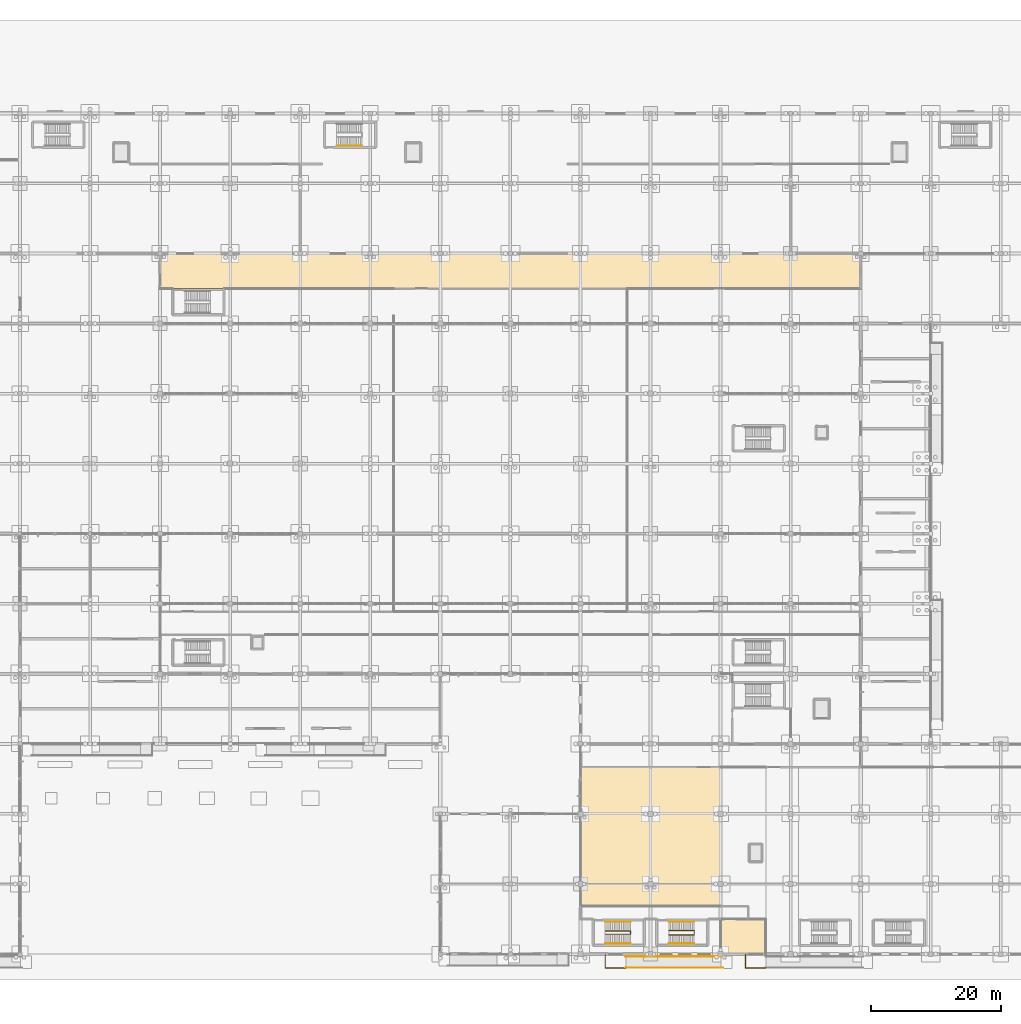
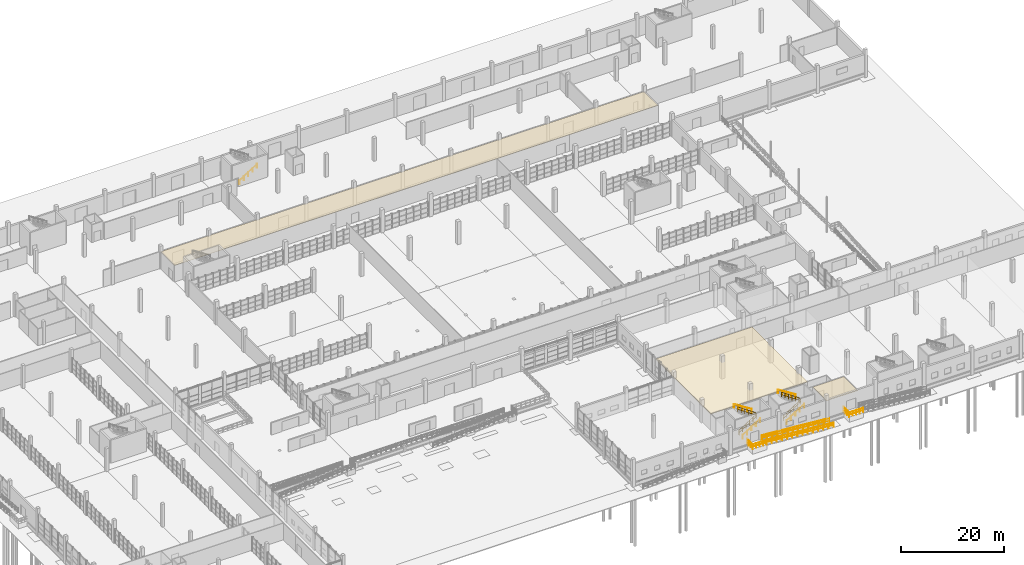
# One storey, part 133 of 138: 11 railings, 3 coverings.
"""IFC4 building model written with IfcOpenShell, lengths in metres."""

from ifc_helpers import new_model, si_unit, direction, frame, origin, origin_2d, place, context, subcontext, project, spatial, polyline, circle, outline, extrude, material, layer, layer_set, type_object, element, save


model = new_model("IFC4")

# Units and contexts
model_context = context("Model", 3, precision=1e-05, world=origin(), true_north=direction((0.0, 1.0)))
body_context = subcontext(model_context, "Body", "Model", "MODEL_VIEW")
ifc_project = project(units=[si_unit("LENGTHUNIT", "METRE"), si_unit("AREAUNIT", "SQUARE_METRE"), si_unit("VOLUMEUNIT", "CUBIC_METRE"), si_unit("PLANEANGLEUNIT", "RADIAN"), si_unit("MASSUNIT", "GRAM", prefix="KILO")], contexts=[model_context])

# Site, building, storey
site_placement = place(None, origin())
site = spatial("IfcSite", under=ifc_project, at=site_placement, CompositionType="ELEMENT")
building_placement = place(site_placement, origin())
building = spatial("IfcBuilding", under=site, at=building_placement, Name="Zwinboog Wholesale Market", CompositionType="ELEMENT")
storey_placement = place(building_placement, origin())
storey = spatial("IfcBuildingStorey", under=building, at=storey_placement, Name="L00", CompositionType="ELEMENT", Elevation=0.0)

# Railings
ifc_material_1 = material(Name="Steel S355", Category="steel")
railing_type_1 = type_object("IfcRailingType", Name="RLT-EXT-GUARD", PredefinedType="BALUSTRADE", material=ifc_material_1)
railing_1_placement = place(storey_placement, frame((133.43994140625, -0.050048828125, 0.0)))
element("IfcRailing", 1, at=railing_1_placement, inside=storey, type_object=railing_type_1, Name="GR-01 (RLG-STP-03A)", PredefinedType="BALUSTRADE", context=body_context, shape_type="SweptSolid", body=[
    extrude(circle(Radius=0.02392578125, at=origin_2d()), frame((0.0, 0.0, 1.076171875), z_axis=(0.0, -1.0, 0.0), x_axis=(1.0, 0.0, 0.0)), (0.0, 0.0, 1.0), 2.10986328125),
    extrude(circle(Radius=0.02392578125, at=origin_2d()), frame((0.0, 0.0, 0.52587890625), z_axis=(0.0, -1.0, 0.0), x_axis=(1.0, 0.0, 0.0)), (0.0, 0.0, 1.0), 2.10986328125),
    extrude(circle(Radius=0.02392578125, at=origin_2d()), frame((0.0, -2.10986328125, 1.076171875), z_axis=(1.0, 0.0, 0.0), x_axis=(0.0, 1.0, 0.0)), (0.0, 0.0, 1.0), 3.1201171875),
    extrude(circle(Radius=0.02392578125, at=origin_2d()), frame((0.0, -2.10986328125, 0.52587890625), z_axis=(1.0, 0.0, 0.0), x_axis=(0.0, 1.0, 0.0)), (0.0, 0.0, 1.0), 3.1201171875),
    extrude(circle(Radius=0.02099609375, at=origin_2d()), origin(), (0.0, 0.0, 1.0), 1.052001953125),
    extrude(circle(Radius=0.02099609375, at=origin_2d()), frame((0.0, -0.703369140625, 0.0)), (0.0, 0.0, 1.0), 1.052001953125),
    extrude(circle(Radius=0.02099609375, at=origin_2d()), frame((0.0, -1.406494140625, 0.0)), (0.0, 0.0, 1.0), 1.052001953125),
    extrude(circle(Radius=0.02099609375, at=origin_2d()), frame((0.0, -2.10986328125, 0.0)), (0.0, 0.0, 1.0), 1.052001953125),
    extrude(circle(Radius=0.02099609375, at=origin_2d()), frame((0.780029296875, -2.10986328125, 0.0)), (0.0, 0.0, 1.0), 1.052001953125),
    extrude(circle(Radius=0.02099609375, at=origin_2d()), frame((1.56005859375, -2.10986328125, 0.0)), (0.0, 0.0, 1.0), 1.052001953125),
    extrude(circle(Radius=0.02099609375, at=origin_2d()), frame((2.340087890625, -2.10986328125, 0.0)), (0.0, 0.0, 1.0), 1.052001953125),
    extrude(circle(Radius=0.02099609375, at=origin_2d()), frame((3.1201171875, -2.10986328125, 0.0)), (0.0, 0.0, 1.0), 1.052001953125),
])
railing_2_placement = place(storey_placement, frame((136.56005859375, -2.1201171875, 0.0)))
element("IfcRailing", 2, at=railing_2_placement, inside=storey, type_object=railing_type_1, Name="GR-01 (RLG-STP-03B)", PredefinedType="BALUSTRADE", context=body_context, shape_type="SweptSolid", body=[
    extrude(circle(Radius=0.02392578125, at=origin_2d()), frame((0.0, 0.0, 1.076171875), z_axis=(0.996815536467, 0.0, -0.079741998075), x_axis=(0.0, 1.0, 0.0)), (0.0, 0.0, 1.0), 15.0478515625),
    extrude(circle(Radius=0.02392578125, at=origin_2d()), frame((0.0, 0.0, 0.52587890625), z_axis=(0.996815536467, 0.0, -0.079741998075), x_axis=(0.0, 1.0, 0.0)), (0.0, 0.0, 1.0), 15.0478515625),
    extrude(circle(Radius=0.02099609375, at=origin_2d()), origin(), (0.0, 0.0, 1.0), 1.052001953125),
    extrude(circle(Radius=0.02099609375, at=origin_2d()), frame((1.15380859375, 0.0, -0.09228515625)), (0.0, 0.0, 1.0), 1.052001953125),
    extrude(circle(Radius=0.02099609375, at=origin_2d()), frame((2.3076171875, 0.0, -0.1845703125)), (0.0, 0.0, 1.0), 1.052001953125),
    extrude(circle(Radius=0.02099609375, at=origin_2d()), frame((3.46142578125, 0.0, -0.27685546875)), (0.0, 0.0, 1.0), 1.052001953125),
    extrude(circle(Radius=0.02099609375, at=origin_2d()), frame((4.615478515625, 0.0, -0.369140625)), (0.0, 0.0, 1.0), 1.052001953125),
    extrude(circle(Radius=0.02099609375, at=origin_2d()), frame((5.769287109375, 0.0, -0.46142578125)), (0.0, 0.0, 1.0), 1.052001953125),
    extrude(circle(Radius=0.02099609375, at=origin_2d()), frame((6.923095703125, 0.0, -0.5537109375)), (0.0, 0.0, 1.0), 1.052001953125),
    extrude(circle(Radius=0.02099609375, at=origin_2d()), frame((8.076904296875, 0.0, -0.646240234375)), (0.0, 0.0, 1.0), 1.052001953125),
    extrude(circle(Radius=0.02099609375, at=origin_2d()), frame((9.230712890625, 0.0, -0.738525390625)), (0.0, 0.0, 1.0), 1.052001953125),
    extrude(circle(Radius=0.02099609375, at=origin_2d()), frame((10.384521484375, 0.0, -0.830810546875)), (0.0, 0.0, 1.0), 1.052001953125),
    extrude(circle(Radius=0.02099609375, at=origin_2d()), frame((11.53857421875, 0.0, -0.923095703125)), (0.0, 0.0, 1.0), 1.052001953125),
    extrude(circle(Radius=0.02099609375, at=origin_2d()), frame((12.6923828125, 0.0, -1.015380859375)), (0.0, 0.0, 1.0), 1.052001953125),
    extrude(circle(Radius=0.02099609375, at=origin_2d()), frame((13.84619140625, 0.0, -1.107666015625)), (0.0, 0.0, 1.0), 1.052001953125),
    extrude(circle(Radius=0.02099609375, at=origin_2d()), frame((15.0, 0.0, -1.199951171875)), (0.0, 0.0, 1.0), 1.052001953125),
])
railing_3_placement = place(storey_placement, frame((136.56005859375, -0.39990234375, 0.0)))
element("IfcRailing", 3, at=railing_3_placement, inside=storey, type_object=railing_type_1, Name="GR-01 (RLG-STP-03C)", PredefinedType="BALUSTRADE", context=body_context, shape_type="SweptSolid", body=[
    extrude(circle(Radius=0.02392578125, at=origin_2d()), frame((0.0, 0.0, 1.076171875), z_axis=(0.996815536467, 0.0, -0.079741998075), x_axis=(0.0, 1.0, 0.0)), (0.0, 0.0, 1.0), 15.0478515625),
    extrude(circle(Radius=0.02392578125, at=origin_2d()), frame((0.0, 0.0, 0.52587890625), z_axis=(0.996815536467, 0.0, -0.079741998075), x_axis=(0.0, 1.0, 0.0)), (0.0, 0.0, 1.0), 15.0478515625),
    extrude(circle(Radius=0.02099609375, at=origin_2d()), origin(), (0.0, 0.0, 1.0), 1.052001953125),
    extrude(circle(Radius=0.02099609375, at=origin_2d()), frame((1.15380859375, 0.0, -0.09228515625)), (0.0, 0.0, 1.0), 1.052001953125),
    extrude(circle(Radius=0.02099609375, at=origin_2d()), frame((2.3076171875, 0.0, -0.1845703125)), (0.0, 0.0, 1.0), 1.052001953125),
    extrude(circle(Radius=0.02099609375, at=origin_2d()), frame((3.46142578125, 0.0, -0.27685546875)), (0.0, 0.0, 1.0), 1.052001953125),
    extrude(circle(Radius=0.02099609375, at=origin_2d()), frame((4.615478515625, 0.0, -0.369140625)), (0.0, 0.0, 1.0), 1.052001953125),
    extrude(circle(Radius=0.02099609375, at=origin_2d()), frame((5.769287109375, 0.0, -0.46142578125)), (0.0, 0.0, 1.0), 1.052001953125),
    extrude(circle(Radius=0.02099609375, at=origin_2d()), frame((6.923095703125, 0.0, -0.5537109375)), (0.0, 0.0, 1.0), 1.052001953125),
    extrude(circle(Radius=0.02099609375, at=origin_2d()), frame((8.076904296875, 0.0, -0.646240234375)), (0.0, 0.0, 1.0), 1.052001953125),
    extrude(circle(Radius=0.02099609375, at=origin_2d()), frame((9.230712890625, 0.0, -0.738525390625)), (0.0, 0.0, 1.0), 1.052001953125),
    extrude(circle(Radius=0.02099609375, at=origin_2d()), frame((10.384521484375, 0.0, -0.830810546875)), (0.0, 0.0, 1.0), 1.052001953125),
    extrude(circle(Radius=0.02099609375, at=origin_2d()), frame((11.53857421875, 0.0, -0.923095703125)), (0.0, 0.0, 1.0), 1.052001953125),
    extrude(circle(Radius=0.02099609375, at=origin_2d()), frame((12.6923828125, 0.0, -1.015380859375)), (0.0, 0.0, 1.0), 1.052001953125),
    extrude(circle(Radius=0.02099609375, at=origin_2d()), frame((13.84619140625, 0.0, -1.107666015625)), (0.0, 0.0, 1.0), 1.052001953125),
    extrude(circle(Radius=0.02099609375, at=origin_2d()), frame((15.0, 0.0, -1.199951171875)), (0.0, 0.0, 1.0), 1.052001953125),
])
railing_4_placement = place(storey_placement, frame((155.0400390625, -0.050048828125, 0.0)))
element("IfcRailing", 4, at=railing_4_placement, inside=storey, type_object=railing_type_1, Name="GR-01 (RLG-STP-04A)", PredefinedType="BALUSTRADE", context=body_context, shape_type="SweptSolid", body=[
    extrude(circle(Radius=0.02392578125, at=origin_2d()), frame((0.0, 0.0, 1.076171875), z_axis=(0.0, -1.0, 0.0), x_axis=(1.0, 0.0, 0.0)), (0.0, 0.0, 1.0), 2.10986328125),
    extrude(circle(Radius=0.02392578125, at=origin_2d()), frame((0.0, 0.0, 0.52587890625), z_axis=(0.0, -1.0, 0.0), x_axis=(1.0, 0.0, 0.0)), (0.0, 0.0, 1.0), 2.10986328125),
    extrude(circle(Radius=0.02392578125, at=origin_2d()), frame((0.0, -2.10986328125, 1.076171875), z_axis=(1.0, 0.0, 0.0), x_axis=(0.0, 1.0, 0.0)), (0.0, 0.0, 1.0), 3.119873046875),
    extrude(circle(Radius=0.02392578125, at=origin_2d()), frame((0.0, -2.10986328125, 0.52587890625), z_axis=(1.0, 0.0, 0.0), x_axis=(0.0, 1.0, 0.0)), (0.0, 0.0, 1.0), 3.119873046875),
    extrude(circle(Radius=0.02099609375, at=origin_2d()), origin(), (0.0, 0.0, 1.0), 1.052001953125),
    extrude(circle(Radius=0.02099609375, at=origin_2d()), frame((0.0, -0.703369140625, 0.0)), (0.0, 0.0, 1.0), 1.052001953125),
    extrude(circle(Radius=0.02099609375, at=origin_2d()), frame((0.0, -1.406494140625, 0.0)), (0.0, 0.0, 1.0), 1.052001953125),
    extrude(circle(Radius=0.02099609375, at=origin_2d()), frame((0.0, -2.10986328125, 0.0)), (0.0, 0.0, 1.0), 1.052001953125),
    extrude(circle(Radius=0.02099609375, at=origin_2d()), frame((0.780029296875, -2.10986328125, 0.0)), (0.0, 0.0, 1.0), 1.052001953125),
    extrude(circle(Radius=0.02099609375, at=origin_2d()), frame((1.56005859375, -2.10986328125, 0.0)), (0.0, 0.0, 1.0), 1.052001953125),
    extrude(circle(Radius=0.02099609375, at=origin_2d()), frame((2.33984375, -2.10986328125, 0.0)), (0.0, 0.0, 1.0), 1.052001953125),
    extrude(circle(Radius=0.02099609375, at=origin_2d()), frame((3.119873046875, -2.10986328125, 0.0)), (0.0, 0.0, 1.0), 1.052001953125),
])
railing_type_2 = type_object("IfcRailingType", Name="RLT-INT-GUARD", PredefinedType="BALUSTRADE", material=ifc_material_1)
railing_5_placement = place(storey_placement, frame((133.419921875, 3.06005859375, 0.179931640625)))
element("IfcRailing", 5, at=railing_5_placement, inside=storey, type_object=railing_type_2, Name="GR-02 (RLG-ST-10A-G1)", PredefinedType="BALUSTRADE", context=body_context, shape_type="SweptSolid", body=[
    extrude(circle(Radius=0.02392578125, at=origin_2d()), frame((0.0, 0.0, 1.09619140625), z_axis=(0.841186985886, 0.0, 0.540744352514), x_axis=(0.0, 1.0, 0.0)), (0.0, 0.0, 1.0), 4.660400390625),
    extrude(circle(Radius=0.02392578125, at=origin_2d()), frame((0.0, 0.0, 0.5361328125), z_axis=(0.841186985886, 0.0, 0.540744352514), x_axis=(0.0, 1.0, 0.0)), (0.0, 0.0, 1.0), 4.660400390625),
    extrude(circle(Radius=0.02392578125, at=origin_2d()), frame((3.920166015625, 0.0, 3.6162109375), z_axis=(0.0, 1.0, 0.0), x_axis=(-1.0, 0.0, 0.0)), (0.0, 0.0, 1.0), 0.47998046875),
    extrude(circle(Radius=0.02392578125, at=origin_2d()), frame((3.920166015625, 0.0, 3.05615234375), z_axis=(0.0, 1.0, 0.0), x_axis=(-1.0, 0.0, 0.0)), (0.0, 0.0, 1.0), 0.47998046875),
    extrude(circle(Radius=0.02392578125, at=origin_2d()), frame((3.920166015625, 0.47998046875, 3.6162109375), z_axis=(-0.823567234665, 0.0, 0.567218661528), x_axis=(0.0, -1.0, 0.0)), (0.0, 0.0, 1.0), 4.760009765625),
    extrude(circle(Radius=0.02392578125, at=origin_2d()), frame((3.920166015625, 0.47998046875, 3.05615234375), z_axis=(-0.823567234665, 0.0, 0.567218661528), x_axis=(0.0, -1.0, 0.0)), (0.0, 0.0, 1.0), 4.760009765625),
    extrude(circle(Radius=0.02099609375, at=origin_2d()), origin(), (0.0, 0.0, 1.0), 1.072021484375),
    extrude(circle(Radius=0.02099609375, at=origin_2d()), frame((0.783935546875, 0.0, 0.50390625)), (0.0, 0.0, 1.0), 1.072021484375),
    extrude(circle(Radius=0.02099609375, at=origin_2d()), frame((1.568115234375, 0.0, 1.008056640625)), (0.0, 0.0, 1.0), 1.072021484375),
    extrude(circle(Radius=0.02099609375, at=origin_2d()), frame((2.35205078125, 0.0, 1.511962890625)), (0.0, 0.0, 1.0), 1.072021484375),
    extrude(circle(Radius=0.02099609375, at=origin_2d()), frame((3.13623046875, 0.0, 2.01611328125)), (0.0, 0.0, 1.0), 1.072021484375),
    extrude(circle(Radius=0.02099609375, at=origin_2d()), frame((3.920166015625, 0.0, 2.52001953125)), (0.0, 0.0, 1.0), 1.072021484375),
    extrude(circle(Radius=0.02099609375, at=origin_2d()), frame((3.920166015625, 0.47998046875, 2.52001953125)), (0.0, 0.0, 1.0), 1.072021484375),
    extrude(circle(Radius=0.02099609375, at=origin_2d()), frame((3.13623046875, 0.47998046875, 3.06005859375)), (0.0, 0.0, 1.0), 1.072021484375),
    extrude(circle(Radius=0.02099609375, at=origin_2d()), frame((2.35205078125, 0.47998046875, 3.60009765625)), (0.0, 0.0, 1.0), 1.072021484375),
    extrude(circle(Radius=0.02099609375, at=origin_2d()), frame((1.568115234375, 0.47998046875, 4.139892578125)), (0.0, 0.0, 1.0), 1.072021484375),
    extrude(circle(Radius=0.02099609375, at=origin_2d()), frame((0.783935546875, 0.47998046875, 4.679931640625)), (0.0, 0.0, 1.0), 1.072021484375),
    extrude(circle(Radius=0.02099609375, at=origin_2d()), frame((0.0, 0.47998046875, 5.219970703125)), (0.0, 0.0, 1.0), 1.072021484375),
])
railing_6_placement = place(storey_placement, frame((143.219970703125, 2.9599609375, 0.179931640625)))
element("IfcRailing", 6, at=railing_6_placement, inside=storey, type_object=railing_type_2, Name="GR-02 (RLG-ST-13A-G1)", PredefinedType="BALUSTRADE", context=body_context, shape_type="SweptSolid", body=[
    extrude(circle(Radius=0.02392578125, at=origin_2d()), frame((0.0, 0.0, 1.09619140625), z_axis=(0.841171666519, 0.0, 0.540768182723), x_axis=(0.0, 1.0, 0.0)), (0.0, 0.0, 1.0), 4.66015625),
    extrude(circle(Radius=0.02392578125, at=origin_2d()), frame((0.0, 0.0, 0.5361328125), z_axis=(0.841171666519, 0.0, 0.540768182723), x_axis=(0.0, 1.0, 0.0)), (0.0, 0.0, 1.0), 4.66015625),
    extrude(circle(Radius=0.02392578125, at=origin_2d()), frame((3.919921875, 0.0, 3.6162109375), z_axis=(0.0, 1.0, 0.0), x_axis=(-1.0, 0.0, 0.0)), (0.0, 0.0, 1.0), 0.679931640625),
    extrude(circle(Radius=0.02392578125, at=origin_2d()), frame((3.919921875, 0.0, 3.05615234375), z_axis=(0.0, 1.0, 0.0), x_axis=(-1.0, 0.0, 0.0)), (0.0, 0.0, 1.0), 0.679931640625),
    extrude(circle(Radius=0.02392578125, at=origin_2d()), frame((3.919921875, 0.679931640625, 3.6162109375), z_axis=(-0.823550731654, 0.0, 0.567242622158), x_axis=(0.0, -1.0, 0.0)), (0.0, 0.0, 1.0), 4.759765625),
    extrude(circle(Radius=0.02392578125, at=origin_2d()), frame((3.919921875, 0.679931640625, 3.05615234375), z_axis=(-0.823550731654, 0.0, 0.567242622158), x_axis=(0.0, -1.0, 0.0)), (0.0, 0.0, 1.0), 4.759765625),
    extrude(circle(Radius=0.02099609375, at=origin_2d()), origin(), (0.0, 0.0, 1.0), 1.072021484375),
    extrude(circle(Radius=0.02099609375, at=origin_2d()), frame((0.783935546875, 0.0, 0.50390625)), (0.0, 0.0, 1.0), 1.072021484375),
    extrude(circle(Radius=0.02099609375, at=origin_2d()), frame((1.56787109375, 0.0, 1.008056640625)), (0.0, 0.0, 1.0), 1.072021484375),
    extrude(circle(Radius=0.02099609375, at=origin_2d()), frame((2.35205078125, 0.0, 1.511962890625)), (0.0, 0.0, 1.0), 1.072021484375),
    extrude(circle(Radius=0.02099609375, at=origin_2d()), frame((3.135986328125, 0.0, 2.01611328125)), (0.0, 0.0, 1.0), 1.072021484375),
    extrude(circle(Radius=0.02099609375, at=origin_2d()), frame((3.919921875, 0.0, 2.52001953125)), (0.0, 0.0, 1.0), 1.072021484375),
    extrude(circle(Radius=0.02099609375, at=origin_2d()), frame((3.919921875, 0.679931640625, 2.52001953125)), (0.0, 0.0, 1.0), 1.072021484375),
    extrude(circle(Radius=0.02099609375, at=origin_2d()), frame((3.135986328125, 0.679931640625, 3.06005859375)), (0.0, 0.0, 1.0), 1.072021484375),
    extrude(circle(Radius=0.02099609375, at=origin_2d()), frame((2.35205078125, 0.679931640625, 3.60009765625)), (0.0, 0.0, 1.0), 1.072021484375),
    extrude(circle(Radius=0.02099609375, at=origin_2d()), frame((1.56787109375, 0.679931640625, 4.139892578125)), (0.0, 0.0, 1.0), 1.072021484375),
    extrude(circle(Radius=0.02099609375, at=origin_2d()), frame((0.783935546875, 0.679931640625, 4.679931640625)), (0.0, 0.0, 1.0), 1.072021484375),
    extrude(circle(Radius=0.02099609375, at=origin_2d()), frame((0.0, 0.679931640625, 5.219970703125)), (0.0, 0.0, 1.0), 1.072021484375),
])
railing_type_3 = type_object("IfcRailingType", Name="RLT-HANDRAIL", PredefinedType="HANDRAIL", material=ifc_material_1)
railing_7_placement = place(storey_placement, frame((92.02001953125, 124.610107421875, 0.179931640625)))
element("IfcRailing", 7, at=railing_7_placement, inside=storey, type_object=railing_type_3, Name="HR-01 (RLG-ST-04-HR1)", PredefinedType="HANDRAIL", context=body_context, shape_type="SweptSolid", body=[
    extrude(circle(Radius=0.02392578125, at=origin_2d()), frame((0.0, 0.0, 0.8759765625), z_axis=(0.841171666519, 0.0, 0.540768182723), x_axis=(0.0, 1.0, 0.0)), (0.0, 0.0, 1.0), 4.66015625),
    extrude(circle(Radius=0.02099609375, at=origin_2d()), origin(), (0.0, 0.0, 1.0), 0.851806640625),
    extrude(circle(Radius=0.02099609375, at=origin_2d()), frame((0.97998046875, 0.0, 0.6298828125)), (0.0, 0.0, 1.0), 0.851806640625),
    extrude(circle(Radius=0.02099609375, at=origin_2d()), frame((1.9599609375, 0.0, 1.260009765625)), (0.0, 0.0, 1.0), 0.851806640625),
    extrude(circle(Radius=0.02099609375, at=origin_2d()), frame((2.93994140625, 0.0, 1.89013671875)), (0.0, 0.0, 1.0), 0.851806640625),
    extrude(circle(Radius=0.02099609375, at=origin_2d()), frame((3.919921875, 0.0, 2.52001953125)), (0.0, 0.0, 1.0), 0.851806640625),
])
railing_8_placement = place(storey_placement, frame((133.419921875, 1.610107421875, 0.179931640625)))
element("IfcRailing", 8, at=railing_8_placement, inside=storey, type_object=railing_type_3, Name="HR-01 (RLG-ST-10A-HR1)", PredefinedType="HANDRAIL", context=body_context, shape_type="SweptSolid", body=[
    extrude(circle(Radius=0.02392578125, at=origin_2d()), frame((0.0, 0.0, 0.8759765625), z_axis=(0.841186985886, 0.0, 0.540744352514), x_axis=(0.0, 1.0, 0.0)), (0.0, 0.0, 1.0), 4.660400390625),
    extrude(circle(Radius=0.02099609375, at=origin_2d()), origin(), (0.0, 0.0, 1.0), 0.851806640625),
    extrude(circle(Radius=0.02099609375, at=origin_2d()), frame((0.97998046875, 0.0, 0.6298828125)), (0.0, 0.0, 1.0), 0.851806640625),
    extrude(circle(Radius=0.02099609375, at=origin_2d()), frame((1.9599609375, 0.0, 1.260009765625)), (0.0, 0.0, 1.0), 0.851806640625),
    extrude(circle(Radius=0.02099609375, at=origin_2d()), frame((2.940185546875, 0.0, 1.89013671875)), (0.0, 0.0, 1.0), 0.851806640625),
    extrude(circle(Radius=0.02099609375, at=origin_2d()), frame((3.920166015625, 0.0, 2.52001953125)), (0.0, 0.0, 1.0), 0.851806640625),
])
railing_9_placement = place(storey_placement, frame((137.340087890625, 4.989990234375, 2.8798828125)))
element("IfcRailing", 9, at=railing_9_placement, inside=storey, type_object=railing_type_3, Name="HR-01 (RLG-ST-10A-HR2)", PredefinedType="HANDRAIL", context=body_context, shape_type="SweptSolid", body=[
    extrude(circle(Radius=0.02392578125, at=origin_2d()), frame((0.0, 0.0, 0.8759765625), z_axis=(-0.841186985886, 0.0, 0.540744352514), x_axis=(0.0, -1.0, 0.0)), (0.0, 0.0, 1.0), 4.660400390625),
    extrude(circle(Radius=0.02099609375, at=origin_2d()), origin(), (0.0, 0.0, 1.0), 0.851806640625),
    extrude(circle(Radius=0.02099609375, at=origin_2d()), frame((-0.97998046875, 0.0, 0.6298828125)), (0.0, 0.0, 1.0), 0.851806640625),
    extrude(circle(Radius=0.02099609375, at=origin_2d()), frame((-1.9599609375, 0.0, 1.260009765625)), (0.0, 0.0, 1.0), 0.851806640625),
    extrude(circle(Radius=0.02099609375, at=origin_2d()), frame((-2.940185546875, 0.0, 1.89013671875)), (0.0, 0.0, 1.0), 0.851806640625),
    extrude(circle(Radius=0.02099609375, at=origin_2d()), frame((-3.920166015625, 0.0, 2.52001953125)), (0.0, 0.0, 1.0), 0.851806640625),
])
railing_10_placement = place(storey_placement, frame((143.219970703125, 1.610107421875, 0.179931640625)))
element("IfcRailing", 10, at=railing_10_placement, inside=storey, type_object=railing_type_3, Name="HR-01 (RLG-ST-13A-HR1)", PredefinedType="HANDRAIL", context=body_context, shape_type="SweptSolid", body=[
    extrude(circle(Radius=0.02392578125, at=origin_2d()), frame((0.0, 0.0, 0.8759765625), z_axis=(0.841171666519, 0.0, 0.540768182723), x_axis=(0.0, 1.0, 0.0)), (0.0, 0.0, 1.0), 4.66015625),
    extrude(circle(Radius=0.02099609375, at=origin_2d()), origin(), (0.0, 0.0, 1.0), 0.851806640625),
    extrude(circle(Radius=0.02099609375, at=origin_2d()), frame((0.97998046875, 0.0, 0.6298828125)), (0.0, 0.0, 1.0), 0.851806640625),
    extrude(circle(Radius=0.02099609375, at=origin_2d()), frame((1.9599609375, 0.0, 1.260009765625)), (0.0, 0.0, 1.0), 0.851806640625),
    extrude(circle(Radius=0.02099609375, at=origin_2d()), frame((2.93994140625, 0.0, 1.89013671875)), (0.0, 0.0, 1.0), 0.851806640625),
    extrude(circle(Radius=0.02099609375, at=origin_2d()), frame((3.919921875, 0.0, 2.52001953125)), (0.0, 0.0, 1.0), 0.851806640625),
])
railing_11_placement = place(storey_placement, frame((147.139892578125, 4.989990234375, 2.8798828125)))
element("IfcRailing", 11, at=railing_11_placement, inside=storey, type_object=railing_type_3, Name="HR-01 (RLG-ST-13A-HR2)", PredefinedType="HANDRAIL", context=body_context, shape_type="SweptSolid", body=[
    extrude(circle(Radius=0.02392578125, at=origin_2d()), frame((0.0, 0.0, 0.8759765625), z_axis=(-0.841171666519, 0.0, 0.540768182723), x_axis=(0.0, -1.0, 0.0)), (0.0, 0.0, 1.0), 4.66015625),
    extrude(circle(Radius=0.02099609375, at=origin_2d()), origin(), (0.0, 0.0, 1.0), 0.851806640625),
    extrude(circle(Radius=0.02099609375, at=origin_2d()), frame((-0.97998046875, 0.0, 0.6298828125)), (0.0, 0.0, 1.0), 0.851806640625),
    extrude(circle(Radius=0.02099609375, at=origin_2d()), frame((-1.9599609375, 0.0, 1.260009765625)), (0.0, 0.0, 1.0), 0.851806640625),
    extrude(circle(Radius=0.02099609375, at=origin_2d()), frame((-2.93994140625, 0.0, 1.89013671875)), (0.0, 0.0, 1.0), 0.851806640625),
    extrude(circle(Radius=0.02099609375, at=origin_2d()), frame((-3.919921875, 0.0, 2.52001953125)), (0.0, 0.0, 1.0), 0.851806640625),
])

# Coverings
ifc_material_2 = material(Name="Western red cedar acoustic baffle ceiling", Category="wood")
ifc_layer_1 = layer(ifc_material_2, 0.080078125)
ifc_layer_set_1 = layer_set([ifc_layer_1], Name="Western red cedar acoustic baffle ceiling")
covering_type_1 = type_object("IfcCoveringType", Name="COV-CEIL-CEDAR", PredefinedType="CEILING", material=ifc_layer_set_1)
covering_1_placement = place(storey_placement, frame((0.0, 0.0, 3.77001953125)))
element("IfcCovering", 12, at=covering_1_placement, inside=storey, type_object=covering_type_1, Name="CL-01 (COV-CL-L00-010)", PredefinedType="CEILING", context=body_context, shape_type="SweptSolid", body=[
    extrude(outline(polyline([(129.60009765625, 7.39990234375), (151.199951171875, 7.39990234375), (151.199951171875, 28.800048828125), (129.60009765625, 28.800048828125), (129.60009765625, 7.39990234375)])), origin(), (0.0, 0.0, 1.0), 0.080078125),
])
ifc_material_3 = material(Name="Hygienic washable acoustic gypsum ceiling")
ifc_layer_2 = layer(ifc_material_3, 0.050048828125)
ifc_layer_set_2 = layer_set([ifc_layer_2], Name="Hygienic washable acoustic gypsum ceiling")
covering_type_2 = type_object("IfcCoveringType", Name="COV-CEIL-HYG", PredefinedType="CEILING", material=ifc_layer_set_2)
covering_2_placement = place(storey_placement, frame((0.0, 0.0, 3.800048828125)))
element("IfcCovering", 13, at=covering_2_placement, inside=storey, type_object=covering_type_2, Name="CL-02 (COV-CL-L00-007)", PredefinedType="CEILING", context=body_context, shape_type="SweptSolid", body=[
    extrude(outline(polyline([(64.800048828125, 102.60009765625), (172.800048828125, 102.60009765625), (172.800048828125, 108.0), (64.800048828125, 108.0), (64.800048828125, 102.60009765625)])), origin(), (0.0, 0.0, 1.0), 0.050048828125),
])
covering_3_placement = place(storey_placement, frame((0.0, 0.0, 3.800048828125)))
element("IfcCovering", 14, at=covering_3_placement, inside=storey, type_object=covering_type_2, Name="CL-02 (COV-CL-L00-009)", PredefinedType="CEILING", context=body_context, shape_type="SweptSolid", body=[
    extrude(outline(polyline([(151.199951171875, 0.0), (158.199951171875, 0.0), (158.199951171875, 5.39990234375), (151.199951171875, 5.39990234375), (151.199951171875, 0.0)])), origin(), (0.0, 0.0, 1.0), 0.050048828125),
])

save(model, "model.ifc")
